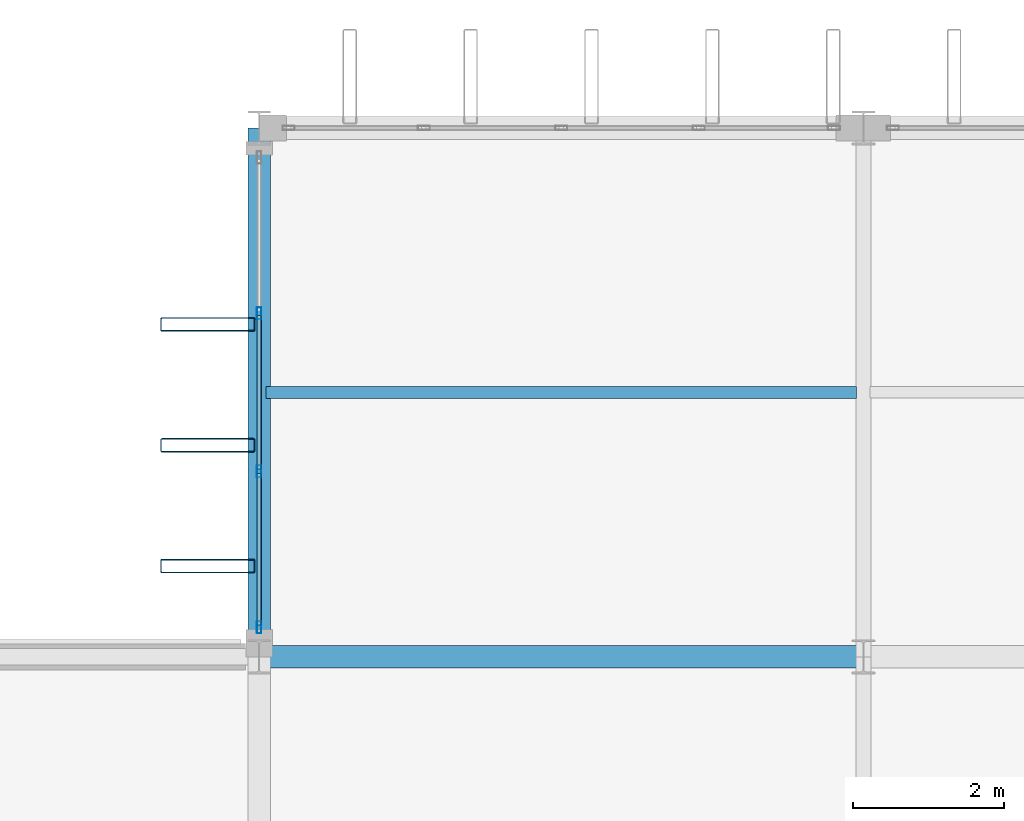
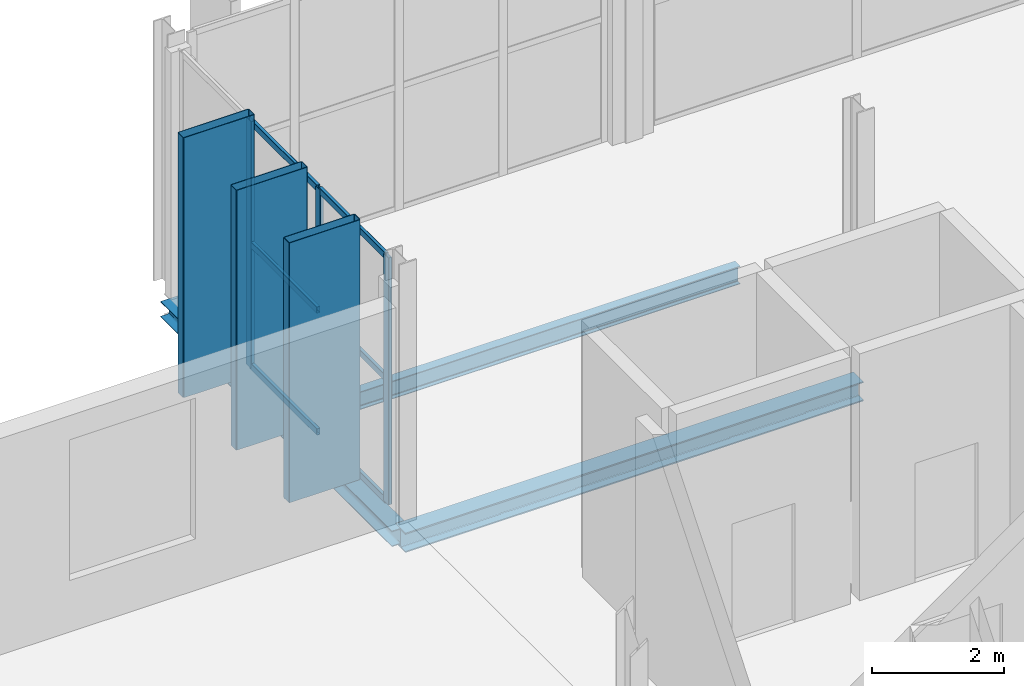
# One storey, part 38 of 120: 12 members, 3 beams, 1 element without a shape of its own.
"""IFC4 building model written with IfcOpenShell, lengths in metres."""

from ifc_helpers import new_model, si_unit, direction, frame, origin, origin_2d, place, context, subcontext, project, spatial, hollow_rectangle, i_section, extrude, material, layer, layer_set, material_profile, profile_set, type_object, element, aggregate, save


model = new_model("IFC4")

# Units and contexts
model_context = context("Model", 3, precision=1e-05, world=origin(), true_north=direction((0.0, 1.0)))
body_context = subcontext(model_context, "Body", "Model", "MODEL_VIEW")
ifc_project = project(units=[si_unit("LENGTHUNIT", "METRE"), si_unit("AREAUNIT", "SQUARE_METRE"), si_unit("VOLUMEUNIT", "CUBIC_METRE"), si_unit("PLANEANGLEUNIT", "RADIAN"), si_unit("MASSUNIT", "GRAM", prefix="KILO")], contexts=[model_context])

# Site, building, storey
site_placement = place(None, origin())
site = spatial("IfcSite", under=ifc_project, at=site_placement, CompositionType="ELEMENT")
building_placement = place(site_placement, origin())
building = spatial("IfcBuilding", under=site, at=building_placement, Name="Vekula Escarpment Museum", CompositionType="ELEMENT")
storey_placement = place(building_placement, frame((0.0, 0.0, 13.199951171875)))
storey = spatial("IfcBuildingStorey", under=building, at=storey_placement, Name="L03", CompositionType="ELEMENT", Elevation=13.199951171875)

# Beams
ifc_material_1 = material(Name="Steel S355", Category="steel")
ifc_material_profile_1 = material_profile(ifc_material_1, i_section(OverallWidth=0.300048828125, OverallDepth=0.360107421875, WebThickness=0.012451171875, FlangeThickness=0.0224609375, FilletRadius=0.027099609375, at=origin_2d()), Name="HEB 360")
ifc_profile_set_1 = profile_set([ifc_material_profile_1], Name="Steel S355")
beam_type_1 = type_object("IfcBeamType", Name="BM-GIRD-HEB360", PredefinedType="BEAM", material=ifc_profile_set_1)
beam_1_placement = place(storey_placement, frame((70.0, 83.39990234375, -0.429931640625), z_axis=(1.0, 0.0, 0.0), x_axis=(0.0, 1.0, 0.0)))
element("IfcBeam", 1, at=beam_1_placement, inside=storey, type_object=beam_type_1, Name="Beam X L03 1406", PredefinedType="BEAM", context=body_context, shape_type="SweptSolid", body=[
    extrude(i_section(OverallWidth=0.300048828125, OverallDepth=0.360107421875, WebThickness=0.012451171875, FlangeThickness=0.0224609375, FilletRadius=0.027099609375, at=origin_2d()), origin(), (0.0, 0.0, 1.0), 8.0),
])
ifc_material_2 = material(Name="Steel S355", Category="steel")
ifc_material_profile_2 = material_profile(ifc_material_2, i_section(OverallWidth=0.159912109375, OverallDepth=0.330078125, WebThickness=0.007568359375, FlangeThickness=0.011474609375, FilletRadius=0.01806640625, at=origin_2d()), Name="IPE 330")
ifc_profile_set_2 = profile_set([ifc_material_profile_2], Name="Steel S355")
beam_type_2 = type_object("IfcBeamType", Name="BM-JST-IPE330", PredefinedType="JOIST", material=ifc_profile_set_2)
beam_2_placement = place(storey_placement, frame((70.090087890625, 86.89990234375, -0.4150390625), z_axis=(1.0, 0.0, 0.0), x_axis=(0.0, 1.0, 0.0)))
element("IfcBeam", 2, at=beam_2_placement, inside=storey, type_object=beam_type_2, Name="Secondary Joist L03 0997", PredefinedType="JOIST", context=body_context, shape_type="SweptSolid", body=[
    extrude(i_section(OverallWidth=0.159912109375, OverallDepth=0.330078125, WebThickness=0.007568359375, FlangeThickness=0.011474609375, FilletRadius=0.01806640625, at=origin_2d()), origin(), (0.0, 0.0, 1.0), 7.81982421875),
])
ifc_material_3 = material(Name="Steel S355", Category="steel")
ifc_material_profile_3 = material_profile(ifc_material_3, i_section(OverallWidth=0.300048828125, OverallDepth=0.2900390625, WebThickness=0.008544921875, FlangeThickness=0.013916015625, FilletRadius=0.027099609375, at=origin_2d()), Name="HEA 300")
ifc_profile_set_3 = profile_set([ifc_material_profile_3], Name="Steel S355")
beam_type_3 = type_object("IfcBeamType", Name="BM-SPAN-HEA300", PredefinedType="SPANDREL", material=ifc_profile_set_3)
beam_3_placement = place(storey_placement, frame((70.0, 83.39990234375, -0.39501953125), z_axis=(0.0, 1.0, 0.0), x_axis=(-1.0, 0.0, 0.0)))
element("IfcBeam", 3, at=beam_3_placement, inside=storey, type_object=beam_type_3, Name="Beam Y L03 1562", PredefinedType="SPANDREL", context=body_context, shape_type="SweptSolid", body=[
    extrude(i_section(OverallWidth=0.300048828125, OverallDepth=0.2900390625, WebThickness=0.008544921875, FlangeThickness=0.013916015625, FilletRadius=0.027099609375, at=origin_2d()), origin(), (0.0, 0.0, 1.0), 7.0),
])

# Curtain wall, members
ifc_material_4 = material(Name="Aluminium thermally broken framing", Category="aluminium")
ifc_layer = layer(ifc_material_4, 0.169921875)
ifc_layer_set = layer_set([ifc_layer], Name="Aluminium thermally broken framing")
curtain_wall_type = type_object("IfcCurtainWallType", Name="CW-SYS-10", PredefinedType="NOTDEFINED", material=ifc_layer_set)
curtain_wall_placement = place(storey_placement, origin())
curtain_wall = element("IfcCurtainWall", 4, at=curtain_wall_placement, inside=storey, type_object=curtain_wall_type, Name="Curtain Wall CW-L03-130", PredefinedType="NOTDEFINED")
ifc_material_5 = material(Name="Aluminium anodized mullion", Category="aluminium")
ifc_material_profile_4 = material_profile(ifc_material_5, hollow_rectangle(XDim=0.06005859375, YDim=0.159912109375, WallThickness=0.00390625, InnerFilletRadius=0.00390625, OuterFilletRadius=0.008056640625, at=origin_2d()), Name="ALU 160x60x4")
ifc_profile_set_4 = profile_set([ifc_material_profile_4], Name="Aluminium anodized mullion")
member_type_1 = type_object("IfcMemberType", Name="CW-MUL-160", PredefinedType="MULLION", material=ifc_profile_set_4)
member_1_placement = place(storey_placement, frame((70.0, 87.94677734375, 0.0), z_axis=(0.0, 0.0, 1.0), x_axis=(1.0, 0.0, 0.0)))
member_1 = element("IfcMember", 5, at=member_1_placement, type_object=member_type_1, Name="CW-10 mullion 2", PredefinedType="MULLION", context=body_context, shape_type="SweptSolid", body=[
    extrude(hollow_rectangle(XDim=0.06005859375, YDim=0.159912109375, WallThickness=0.00390625, InnerFilletRadius=0.00390625, OuterFilletRadius=0.008056640625, at=origin_2d()), origin(), (0.0, 0.0, 1.0), 4.56005859375),
])
member_2_placement = place(storey_placement, frame((70.0, 85.853271484375, 0.0), z_axis=(0.0, 0.0, 1.0), x_axis=(1.0, 0.0, 0.0)))
member_2 = element("IfcMember", 6, at=member_2_placement, type_object=member_type_1, Name="CW-10 mullion 3", PredefinedType="MULLION", context=body_context, shape_type="SweptSolid", body=[
    extrude(hollow_rectangle(XDim=0.06005859375, YDim=0.159912109375, WallThickness=0.00390625, InnerFilletRadius=0.00390625, OuterFilletRadius=0.008056640625, at=origin_2d()), origin(), (0.0, 0.0, 1.0), 4.56005859375),
])
member_3_placement = place(storey_placement, frame((70.0, 83.7900390625, 0.0), z_axis=(0.0, 0.0, 1.0), x_axis=(1.0, 0.0, 0.0)))
member_3 = element("IfcMember", 7, at=member_3_placement, type_object=member_type_1, Name="CW-10 mullion 4", PredefinedType="MULLION", context=body_context, shape_type="SweptSolid", body=[
    extrude(hollow_rectangle(XDim=0.06005859375, YDim=0.159912109375, WallThickness=0.00390625, InnerFilletRadius=0.00390625, OuterFilletRadius=0.008056640625, at=origin_2d()), origin(), (0.0, 0.0, 1.0), 4.56005859375),
])
ifc_material_6 = material(Name="Aluminium anodized transom", Category="aluminium")
ifc_material_profile_5 = material_profile(ifc_material_6, hollow_rectangle(XDim=0.06005859375, YDim=0.1201171875, WallThickness=0.00390625, InnerFilletRadius=0.00390625, OuterFilletRadius=0.008056640625, at=origin_2d()), Name="ALU 120x60x4")
ifc_profile_set_5 = profile_set([ifc_material_profile_5], Name="Aluminium anodized transom")
member_type_2 = type_object("IfcMemberType", Name="CW-TRN-120", PredefinedType="USERDEFINED", material=ifc_profile_set_5)
member_4_placement = place(storey_placement, frame((70.0, 87.916748046875, 0.030029296875), z_axis=(0.0, -1.0, 0.0), x_axis=(1.0, 0.0, 0.0)))
member_4 = element("IfcMember", 8, at=member_4_placement, type_object=member_type_2, Name="CW-10 transom 2.1", ObjectType="TRANSOM", PredefinedType="USERDEFINED", context=body_context, shape_type="SweptSolid", body=[
    extrude(hollow_rectangle(XDim=0.06005859375, YDim=0.1201171875, WallThickness=0.00390625, InnerFilletRadius=0.00390625, OuterFilletRadius=0.008056640625, at=origin_2d()), origin(), (0.0, 0.0, 1.0), 2.033447265625),
])
member_5_placement = place(storey_placement, frame((70.0, 87.916748046875, 2.280029296875), z_axis=(0.0, -1.0, 0.0), x_axis=(1.0, 0.0, 0.0)))
member_5 = element("IfcMember", 9, at=member_5_placement, type_object=member_type_2, Name="CW-10 transom 2.2", ObjectType="TRANSOM", PredefinedType="USERDEFINED", context=body_context, shape_type="SweptSolid", body=[
    extrude(hollow_rectangle(XDim=0.06005859375, YDim=0.1201171875, WallThickness=0.00390625, InnerFilletRadius=0.00390625, OuterFilletRadius=0.008056640625, at=origin_2d()), origin(), (0.0, 0.0, 1.0), 2.033447265625),
])
member_6_placement = place(storey_placement, frame((70.0, 87.916748046875, 4.530029296875), z_axis=(0.0, -1.0, 0.0), x_axis=(1.0, 0.0, 0.0)))
member_6 = element("IfcMember", 10, at=member_6_placement, type_object=member_type_2, Name="CW-10 transom 2.3", ObjectType="TRANSOM", PredefinedType="USERDEFINED", context=body_context, shape_type="SweptSolid", body=[
    extrude(hollow_rectangle(XDim=0.06005859375, YDim=0.1201171875, WallThickness=0.00390625, InnerFilletRadius=0.00390625, OuterFilletRadius=0.008056640625, at=origin_2d()), origin(), (0.0, 0.0, 1.0), 2.033447265625),
])
member_7_placement = place(storey_placement, frame((70.0, 85.8232421875, 0.030029296875), z_axis=(0.0, -1.0, 0.0), x_axis=(1.0, 0.0, 0.0)))
member_7 = element("IfcMember", 11, at=member_7_placement, type_object=member_type_2, Name="CW-10 transom 3.1", ObjectType="TRANSOM", PredefinedType="USERDEFINED", context=body_context, shape_type="SweptSolid", body=[
    extrude(hollow_rectangle(XDim=0.06005859375, YDim=0.1201171875, WallThickness=0.00390625, InnerFilletRadius=0.00390625, OuterFilletRadius=0.008056640625, at=origin_2d()), origin(), (0.0, 0.0, 1.0), 2.003173828125),
])
member_8_placement = place(storey_placement, frame((70.0, 85.8232421875, 2.280029296875), z_axis=(0.0, -1.0, 0.0), x_axis=(1.0, 0.0, 0.0)))
member_8 = element("IfcMember", 12, at=member_8_placement, type_object=member_type_2, Name="CW-10 transom 3.2", ObjectType="TRANSOM", PredefinedType="USERDEFINED", context=body_context, shape_type="SweptSolid", body=[
    extrude(hollow_rectangle(XDim=0.06005859375, YDim=0.1201171875, WallThickness=0.00390625, InnerFilletRadius=0.00390625, OuterFilletRadius=0.008056640625, at=origin_2d()), origin(), (0.0, 0.0, 1.0), 2.003173828125),
])
member_9_placement = place(storey_placement, frame((70.0, 85.8232421875, 4.530029296875), z_axis=(0.0, -1.0, 0.0), x_axis=(1.0, 0.0, 0.0)))
member_9 = element("IfcMember", 13, at=member_9_placement, type_object=member_type_2, Name="CW-10 transom 3.3", ObjectType="TRANSOM", PredefinedType="USERDEFINED", context=body_context, shape_type="SweptSolid", body=[
    extrude(hollow_rectangle(XDim=0.06005859375, YDim=0.1201171875, WallThickness=0.00390625, InnerFilletRadius=0.00390625, OuterFilletRadius=0.008056640625, at=origin_2d()), origin(), (0.0, 0.0, 1.0), 2.003173828125),
])
aggregate(curtain_wall, [member_1, member_2, member_3, member_4, member_5, member_6, member_7, member_8, member_9])

# Members
ifc_material_7 = material(Name="Steel S355 weathered bronze solar fin", Category="steel")
ifc_material_profile_6 = material_profile(ifc_material_7, hollow_rectangle(XDim=0.179931640625, YDim=1.25, WallThickness=0.010009765625, InnerFilletRadius=0.010009765625, OuterFilletRadius=0.02001953125, at=origin_2d()), Name="RHS 1250x180x10")
ifc_profile_set_6 = profile_set([ifc_material_profile_6], Name="Steel S355 weathered bronze solar fin")
member_type_3 = type_object("IfcMemberType", Name="MB-SOLAR-FIN", PredefinedType="USERDEFINED", material=ifc_profile_set_6)
for number, where, z_axis, x_axis, name in (
    (14, (69.320068359375, 84.60009765625, 0.0), (0.0, 0.0, 1.0), (0.0, 1.0, 0.0), "Great Hall Vertical Solar Fin 0338"),
    (15, (69.320068359375, 86.199951171875, 0.0), (0.0, 0.0, 1.0), (0.0, 1.0, 0.0), "Great Hall Vertical Solar Fin 0343"),
    (16, (69.320068359375, 87.800048828125, 0.0), (0.0, 0.0, 1.0), (0.0, 1.0, 0.0), "Great Hall Vertical Solar Fin 0348"),
):
    element("IfcMember", number, at=place(storey_placement, frame(where, z_axis=z_axis, x_axis=x_axis)), inside=storey, type_object=member_type_3, Name=name, ObjectType="SOLAR FIN", PredefinedType="USERDEFINED", context=body_context, shape_type="SweptSolid", body=[
        extrude(hollow_rectangle(XDim=0.179931640625, YDim=1.25, WallThickness=0.010009765625, InnerFilletRadius=0.010009765625, OuterFilletRadius=0.02001953125, at=origin_2d()), origin(), (0.0, 0.0, 1.0), 4.800048828125),
    ])

save(model, "model.ifc")
